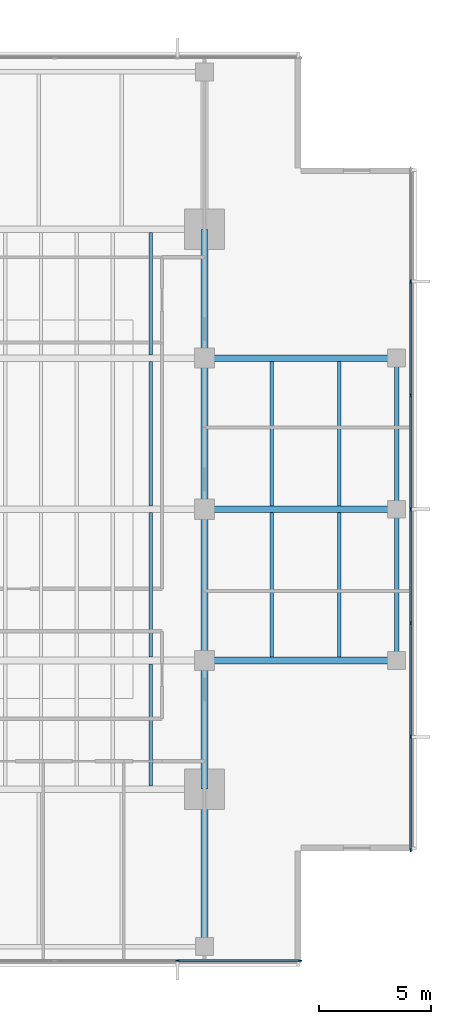
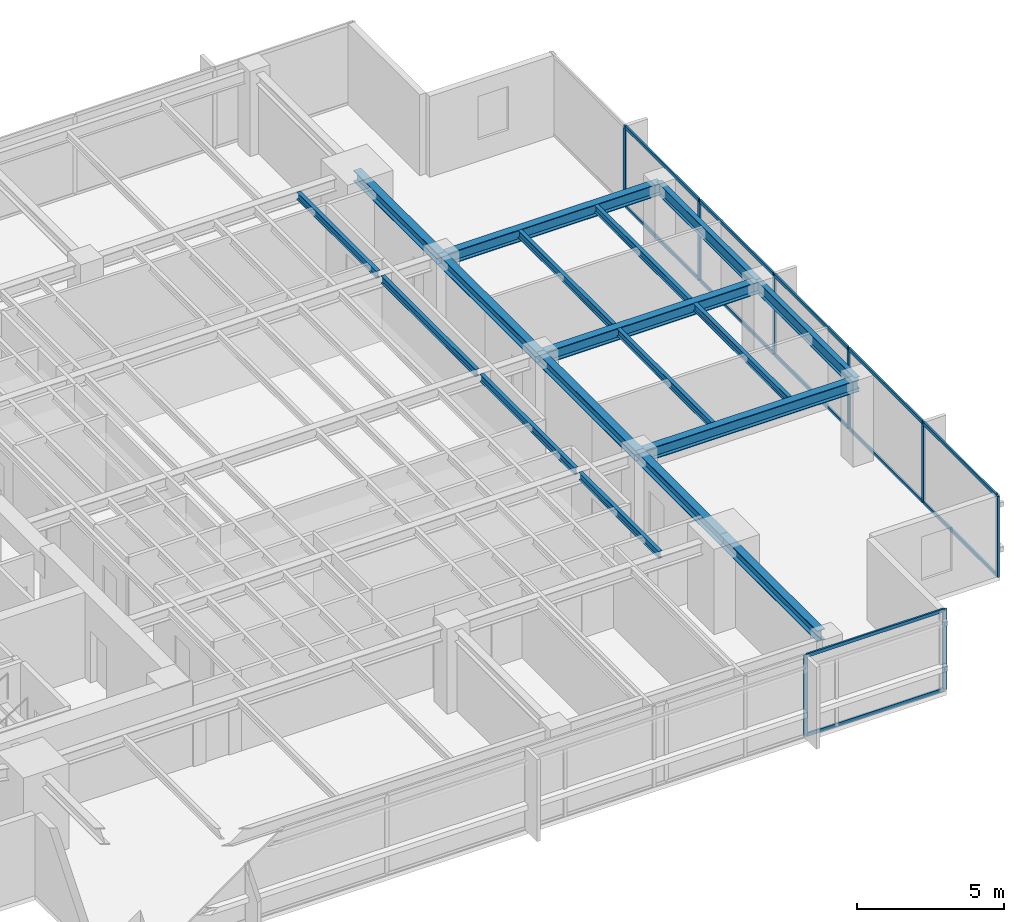
# One storey, part 4 of 14: 20 members, 18 beams, 2 elements without a shape of their own.
"""IFC4 building model written with IfcOpenShell, lengths in metres."""

from ifc_helpers import new_model, si_unit, direction, frame, origin, origin_2d, place, context, subcontext, project, spatial, rectangle, i_section, extrude, material, layer, layer_set, material_profile, profile_set, type_object, element, aggregate, save


model = new_model("IFC4")

# Units and contexts
model_context = context("Model", 3, precision=1e-05, world=origin(), true_north=direction((0.0, 1.0)))
body_context = subcontext(model_context, "Body", "Model", "MODEL_VIEW")
ifc_project = project(units=[si_unit("LENGTHUNIT", "METRE"), si_unit("AREAUNIT", "SQUARE_METRE"), si_unit("VOLUMEUNIT", "CUBIC_METRE"), si_unit("PLANEANGLEUNIT", "RADIAN"), si_unit("MASSUNIT", "GRAM", prefix="KILO")], contexts=[model_context])

# Site, building, storey
site_placement = place(None, origin())
site = spatial("IfcSite", under=ifc_project, at=site_placement, CompositionType="ELEMENT")
building_placement = place(site_placement, origin())
building = spatial("IfcBuilding", under=site, at=building_placement, Name="Kinhvarn Gate Tower", CompositionType="ELEMENT")
storey_placement = place(building_placement, frame((0.0, 0.0, 223.550048828125)))
storey = spatial("IfcBuildingStorey", under=building, at=storey_placement, Name="L59", CompositionType="ELEMENT", Elevation=223.550048828125)

# Curtain wall, members
ifc_material_1 = material(Name="Anodised aluminium AW-6063", Category="aluminium")
ifc_layer = layer(ifc_material_1, 0.179931640625)
ifc_layer_set = layer_set([ifc_layer], Name="Anodised aluminium AW-6063")
curtain_wall_type = type_object("IfcCurtainWallType", Name="CW-SYS-3", PredefinedType="NOTDEFINED", material=ifc_layer_set)
curtain_wall_1_placement = place(storey_placement, origin())
curtain_wall_1 = element("IfcCurtainWall", 1, at=curtain_wall_1_placement, inside=storey, type_object=curtain_wall_type, Name="Curtain Wall CW3 (L59)", PredefinedType="NOTDEFINED")
ifc_material_profile_1 = material_profile(ifc_material_1, rectangle(XDim=0.06494140625, YDim=0.159912109375, at=origin_2d()), Name="ALU 65x160")
ifc_profile_set_1 = profile_set([ifc_material_profile_1], Name="Anodised aluminium AW-6063")
member_type_1 = type_object("IfcMemberType", Name="CW-MUL-160", PredefinedType="MULLION", material=ifc_profile_set_1)
member_1_placement = place(storey_placement, frame((37.0, 5.090087890625, 0.0), z_axis=(0.0, 0.0, 1.0), x_axis=(0.0, 1.0, 0.0)))
member_1 = element("IfcMember", 2, at=member_1_placement, type_object=member_type_1, Name="CW3 mullion 6", PredefinedType="MULLION", context=body_context, shape_type="SweptSolid", body=[
    extrude(rectangle(XDim=0.06494140625, YDim=0.159912109375, at=origin_2d()), origin(), (0.0, 0.0, 1.0), 3.369873046875),
])
member_2_placement = place(storey_placement, frame((42.467529296875, 5.090087890625, 0.0), z_axis=(0.0, 0.0, 1.0), x_axis=(0.0, 1.0, 0.0)))
member_2 = element("IfcMember", 3, at=member_2_placement, type_object=member_type_1, Name="CW3 mullion 7", PredefinedType="MULLION", context=body_context, shape_type="SweptSolid", body=[
    extrude(rectangle(XDim=0.06494140625, YDim=0.159912109375, at=origin_2d()), origin(), (0.0, 0.0, 1.0), 3.369873046875),
])

curtain_wall_2_placement = place(storey_placement, origin())
curtain_wall_2 = element("IfcCurtainWall", 4, at=curtain_wall_2_placement, inside=storey, type_object=curtain_wall_type, Name="Curtain Wall CW3 (L59)", PredefinedType="NOTDEFINED")
member_3_placement = place(storey_placement, frame((47.409912109375, 10.032470703125, 0.0), z_axis=(0.0, 0.0, 1.0), x_axis=(-1.0, 0.0, 0.0)))
member_3 = element("IfcMember", 5, at=member_3_placement, type_object=member_type_1, Name="CW3 mullion 1", PredefinedType="MULLION", context=body_context, shape_type="SweptSolid", body=[
    extrude(rectangle(XDim=0.06494140625, YDim=0.159912109375, at=origin_2d()), origin(), (0.0, 0.0, 1.0), 3.369873046875),
])
member_4_placement = place(storey_placement, frame((47.409912109375, 15.083251953125, 0.0), z_axis=(0.0, 0.0, 1.0), x_axis=(-1.0, 0.0, 0.0)))
member_4 = element("IfcMember", 6, at=member_4_placement, type_object=member_type_1, Name="CW3 mullion 2", PredefinedType="MULLION", context=body_context, shape_type="SweptSolid", body=[
    extrude(rectangle(XDim=0.06494140625, YDim=0.159912109375, at=origin_2d()), origin(), (0.0, 0.0, 1.0), 3.369873046875),
])
member_5_placement = place(storey_placement, frame((47.409912109375, 20.166748046875, 0.0), z_axis=(0.0, 0.0, 1.0), x_axis=(-1.0, 0.0, 0.0)))
member_5 = element("IfcMember", 7, at=member_5_placement, type_object=member_type_1, Name="CW3 mullion 3", PredefinedType="MULLION", context=body_context, shape_type="SweptSolid", body=[
    extrude(rectangle(XDim=0.06494140625, YDim=0.159912109375, at=origin_2d()), origin(), (0.0, 0.0, 1.0), 3.369873046875),
])
member_6_placement = place(storey_placement, frame((47.409912109375, 25.25, 0.0), z_axis=(0.0, 0.0, 1.0), x_axis=(-1.0, 0.0, 0.0)))
member_6 = element("IfcMember", 8, at=member_6_placement, type_object=member_type_1, Name="CW3 mullion 4", PredefinedType="MULLION", context=body_context, shape_type="SweptSolid", body=[
    extrude(rectangle(XDim=0.06494140625, YDim=0.159912109375, at=origin_2d()), origin(), (0.0, 0.0, 1.0), 3.369873046875),
])
member_7_placement = place(storey_placement, frame((47.409912109375, 30.333251953125, 0.0), z_axis=(0.0, 0.0, 1.0), x_axis=(-1.0, 0.0, 0.0)))
member_7 = element("IfcMember", 9, at=member_7_placement, type_object=member_type_1, Name="CW3 mullion 5", PredefinedType="MULLION", context=body_context, shape_type="SweptSolid", body=[
    extrude(rectangle(XDim=0.06494140625, YDim=0.159912109375, at=origin_2d()), origin(), (0.0, 0.0, 1.0), 3.369873046875),
])
member_8_placement = place(storey_placement, frame((47.409912109375, 35.416748046875, 0.0), z_axis=(0.0, 0.0, 1.0), x_axis=(-1.0, 0.0, 0.0)))
member_8 = element("IfcMember", 10, at=member_8_placement, type_object=member_type_1, Name="CW3 mullion 6", PredefinedType="MULLION", context=body_context, shape_type="SweptSolid", body=[
    extrude(rectangle(XDim=0.06494140625, YDim=0.159912109375, at=origin_2d()), origin(), (0.0, 0.0, 1.0), 3.369873046875),
])

# Member
ifc_material_profile_2 = material_profile(ifc_material_1, rectangle(XDim=0.070068359375, YDim=0.139892578125, at=origin_2d()), Name="ALU 70x140")
ifc_profile_set_2 = profile_set([ifc_material_profile_2], Name="Anodised aluminium AW-6063")
member_type_2 = type_object("IfcMemberType", Name="CW-TRN-140", PredefinedType="USERDEFINED", material=ifc_profile_set_2)
member_9_placement = place(storey_placement, frame((37.032470703125, 5.090087890625, 0.034912109375), z_axis=(1.0, 0.0, 0.0), x_axis=(0.0, 1.0, 0.0)))
member_9 = element("IfcMember", 11, at=member_9_placement, type_object=member_type_2, Name="CW3 transom 6.1", ObjectType="TRANSOM", PredefinedType="USERDEFINED", context=body_context, shape_type="SweptSolid", body=[
    extrude(rectangle(XDim=0.070068359375, YDim=0.139892578125, at=origin_2d()), origin(), (0.0, 0.0, 1.0), 5.402587890625),
])

member_10_placement = place(storey_placement, frame((37.032470703125, 5.090087890625, 3.3349609375), z_axis=(1.0, 0.0, 0.0), x_axis=(0.0, 1.0, 0.0)))
member_10 = element("IfcMember", 12, at=member_10_placement, type_object=member_type_2, Name="CW3 transom 6.2", ObjectType="TRANSOM", PredefinedType="USERDEFINED", context=body_context, shape_type="SweptSolid", body=[
    extrude(rectangle(XDim=0.070068359375, YDim=0.139892578125, at=origin_2d()), origin(), (0.0, 0.0, 1.0), 5.402587890625),
])

aggregate(curtain_wall_1, [member_1, member_2, member_9, member_10])

member_11_placement = place(storey_placement, frame((47.409912109375, 10.06494140625, 0.034912109375), z_axis=(0.0, 1.0, 0.0), x_axis=(-1.0, 0.0, 0.0)))
member_11 = element("IfcMember", 13, at=member_11_placement, type_object=member_type_2, Name="CW3 transom 1.1", ObjectType="TRANSOM", PredefinedType="USERDEFINED", context=body_context, shape_type="SweptSolid", body=[
    extrude(rectangle(XDim=0.070068359375, YDim=0.139892578125, at=origin_2d()), origin(), (0.0, 0.0, 1.0), 4.98583984375),
])

member_12_placement = place(storey_placement, frame((47.409912109375, 10.06494140625, 3.3349609375), z_axis=(0.0, 1.0, 0.0), x_axis=(-1.0, 0.0, 0.0)))
member_12 = element("IfcMember", 14, at=member_12_placement, type_object=member_type_2, Name="CW3 transom 1.2", ObjectType="TRANSOM", PredefinedType="USERDEFINED", context=body_context, shape_type="SweptSolid", body=[
    extrude(rectangle(XDim=0.070068359375, YDim=0.139892578125, at=origin_2d()), origin(), (0.0, 0.0, 1.0), 4.98583984375),
])

member_13_placement = place(storey_placement, frame((47.409912109375, 15.11572265625, 0.034912109375), z_axis=(0.0, 1.0, 0.0), x_axis=(-1.0, 0.0, 0.0)))
member_13 = element("IfcMember", 15, at=member_13_placement, type_object=member_type_2, Name="CW3 transom 2.1", ObjectType="TRANSOM", PredefinedType="USERDEFINED", context=body_context, shape_type="SweptSolid", body=[
    extrude(rectangle(XDim=0.070068359375, YDim=0.139892578125, at=origin_2d()), origin(), (0.0, 0.0, 1.0), 5.0185546875),
])

member_14_placement = place(storey_placement, frame((47.409912109375, 15.11572265625, 3.3349609375), z_axis=(0.0, 1.0, 0.0), x_axis=(-1.0, 0.0, 0.0)))
member_14 = element("IfcMember", 16, at=member_14_placement, type_object=member_type_2, Name="CW3 transom 2.2", ObjectType="TRANSOM", PredefinedType="USERDEFINED", context=body_context, shape_type="SweptSolid", body=[
    extrude(rectangle(XDim=0.070068359375, YDim=0.139892578125, at=origin_2d()), origin(), (0.0, 0.0, 1.0), 5.0185546875),
])

member_15_placement = place(storey_placement, frame((47.409912109375, 20.19921875, 0.034912109375), z_axis=(0.0, 1.0, 0.0), x_axis=(-1.0, 0.0, 0.0)))
member_15 = element("IfcMember", 17, at=member_15_placement, type_object=member_type_2, Name="CW3 transom 3.1", ObjectType="TRANSOM", PredefinedType="USERDEFINED", context=body_context, shape_type="SweptSolid", body=[
    extrude(rectangle(XDim=0.070068359375, YDim=0.139892578125, at=origin_2d()), origin(), (0.0, 0.0, 1.0), 5.018310546875),
])

member_16_placement = place(storey_placement, frame((47.409912109375, 20.19921875, 3.3349609375), z_axis=(0.0, 1.0, 0.0), x_axis=(-1.0, 0.0, 0.0)))
member_16 = element("IfcMember", 18, at=member_16_placement, type_object=member_type_2, Name="CW3 transom 3.2", ObjectType="TRANSOM", PredefinedType="USERDEFINED", context=body_context, shape_type="SweptSolid", body=[
    extrude(rectangle(XDim=0.070068359375, YDim=0.139892578125, at=origin_2d()), origin(), (0.0, 0.0, 1.0), 5.018310546875),
])

member_17_placement = place(storey_placement, frame((47.409912109375, 25.282470703125, 0.034912109375), z_axis=(0.0, 1.0, 0.0), x_axis=(-1.0, 0.0, 0.0)))
member_17 = element("IfcMember", 19, at=member_17_placement, type_object=member_type_2, Name="CW3 transom 4.1", ObjectType="TRANSOM", PredefinedType="USERDEFINED", context=body_context, shape_type="SweptSolid", body=[
    extrude(rectangle(XDim=0.070068359375, YDim=0.139892578125, at=origin_2d()), origin(), (0.0, 0.0, 1.0), 5.018310546875),
])

member_18_placement = place(storey_placement, frame((47.409912109375, 25.282470703125, 3.3349609375), z_axis=(0.0, 1.0, 0.0), x_axis=(-1.0, 0.0, 0.0)))
member_18 = element("IfcMember", 20, at=member_18_placement, type_object=member_type_2, Name="CW3 transom 4.2", ObjectType="TRANSOM", PredefinedType="USERDEFINED", context=body_context, shape_type="SweptSolid", body=[
    extrude(rectangle(XDim=0.070068359375, YDim=0.139892578125, at=origin_2d()), origin(), (0.0, 0.0, 1.0), 5.018310546875),
])

member_19_placement = place(storey_placement, frame((47.409912109375, 30.36572265625, 0.034912109375), z_axis=(0.0, 1.0, 0.0), x_axis=(-1.0, 0.0, 0.0)))
member_19 = element("IfcMember", 21, at=member_19_placement, type_object=member_type_2, Name="CW3 transom 5.1", ObjectType="TRANSOM", PredefinedType="USERDEFINED", context=body_context, shape_type="SweptSolid", body=[
    extrude(rectangle(XDim=0.070068359375, YDim=0.139892578125, at=origin_2d()), origin(), (0.0, 0.0, 1.0), 5.0185546875),
])

member_20_placement = place(storey_placement, frame((47.409912109375, 30.36572265625, 3.3349609375), z_axis=(0.0, 1.0, 0.0), x_axis=(-1.0, 0.0, 0.0)))
member_20 = element("IfcMember", 22, at=member_20_placement, type_object=member_type_2, Name="CW3 transom 5.2", ObjectType="TRANSOM", PredefinedType="USERDEFINED", context=body_context, shape_type="SweptSolid", body=[
    extrude(rectangle(XDim=0.070068359375, YDim=0.139892578125, at=origin_2d()), origin(), (0.0, 0.0, 1.0), 5.0185546875),
])

aggregate(curtain_wall_2, [member_3, member_4, member_5, member_6, member_7, member_8, member_11, member_12, member_13, member_14, member_15, member_16, member_17, member_18, member_19, member_20])

# Beams
ifc_material_2 = material(Name="Steel S355", Category="steel")
ifc_material_profile_3 = material_profile(ifc_material_2, i_section(OverallWidth=0.300048828125, OverallDepth=0.449951171875, WebThickness=0.013916015625, FlangeThickness=0.02587890625, at=origin_2d()), Name="HEB 450")
ifc_profile_set_3 = profile_set([ifc_material_profile_3], Name="Steel S355")
beam_type_1 = type_object("IfcBeamType", Name="STL-HEB450", PredefinedType="BEAM", material=ifc_profile_set_3)
beam_1_placement = place(storey_placement, frame((38.199951171875, 6.10498046875, 3.14501953125), z_axis=(0.0, 1.0, 0.0), x_axis=(-1.0, 0.0, 0.0)))
element("IfcBeam", 23, at=beam_1_placement, inside=storey, type_object=beam_type_1, Name="Floor Beam PG-13 (L59 MCE-S)", PredefinedType="BEAM", context=body_context, shape_type="SweptSolid", body=[
    extrude(i_section(OverallWidth=0.300048828125, OverallDepth=0.449951171875, WebThickness=0.013916015625, FlangeThickness=0.02587890625, at=origin_2d()), origin(), (0.0, 0.0, 1.0), 6.64501953125),
])
beam_2_placement = place(storey_placement, frame((38.199951171875, 12.75, 3.14501953125), z_axis=(0.0, 1.0, 0.0), x_axis=(-1.0, 0.0, 0.0)))
element("IfcBeam", 24, at=beam_2_placement, inside=storey, type_object=beam_type_1, Name="Floor Beam PG-13 (L59 MG-E-12)", PredefinedType="BEAM", context=body_context, shape_type="SweptSolid", body=[
    extrude(i_section(OverallWidth=0.300048828125, OverallDepth=0.449951171875, WebThickness=0.013916015625, FlangeThickness=0.02587890625, at=origin_2d()), origin(), (0.0, 0.0, 1.0), 5.75),
])
for number, where, z_axis, x_axis, name in (
    (25, (38.199951171875, 18.5, 3.14501953125), (0.0, 1.0, 0.0), (-1.0, 0.0, 0.0), "Floor Beam PG-13 (L59 MG-E-18)"),
    (26, (38.199951171875, 25.25, 3.14501953125), (0.0, 1.0, 0.0), (-1.0, 0.0, 0.0), "Floor Beam PG-13 (L59 MG-E-25)"),
):
    element("IfcBeam", number, at=place(storey_placement, frame(where, z_axis=z_axis, x_axis=x_axis)), inside=storey, type_object=beam_type_1, Name=name, PredefinedType="BEAM", context=body_context, shape_type="SweptSolid", body=[
        extrude(i_section(OverallWidth=0.300048828125, OverallDepth=0.449951171875, WebThickness=0.013916015625, FlangeThickness=0.02587890625, at=origin_2d()), origin(), (0.0, 0.0, 1.0), 6.75),
    ])
beam_3_placement = place(storey_placement, frame((38.199951171875, 32.0, 3.14501953125), z_axis=(0.0, 1.0, 0.0), x_axis=(-1.0, 0.0, 0.0)))
element("IfcBeam", 27, at=beam_3_placement, inside=storey, type_object=beam_type_1, Name="Floor Beam PG-13 (L59 MG-E-32)", PredefinedType="BEAM", context=body_context, shape_type="SweptSolid", body=[
    extrude(i_section(OverallWidth=0.300048828125, OverallDepth=0.449951171875, WebThickness=0.013916015625, FlangeThickness=0.02587890625, at=origin_2d()), origin(), (0.0, 0.0, 1.0), 5.75),
])
ifc_material_profile_4 = material_profile(ifc_material_2, i_section(OverallWidth=0.300048828125, OverallDepth=0.5, WebThickness=0.014404296875, FlangeThickness=0.028076171875, at=origin_2d()), Name="HEB 500")
ifc_profile_set_4 = profile_set([ifc_material_profile_4], Name="Steel S355")
beam_type_2 = type_object("IfcBeamType", Name="STL-HEB500", PredefinedType="BEAM", material=ifc_profile_set_4)
for number, where, z_axis, x_axis, name in (
    (28, (38.199951171875, 18.5, 3.119873046875), (1.0, 0.0, 0.0), (0.0, 1.0, 0.0), "Floor Beam PG-14 (L59 EW2-Y18)"),
    (29, (38.199951171875, 25.25, 3.119873046875), (1.0, 0.0, 0.0), (0.0, 1.0, 0.0), "Floor Beam PG-14 (L59 EW2-Y25)"),
    (30, (38.199951171875, 32.0, 3.119873046875), (1.0, 0.0, 0.0), (0.0, 1.0, 0.0), "Floor Beam PG-14 (L59 EW2-Y32)"),
):
    element("IfcBeam", number, at=place(storey_placement, frame(where, z_axis=z_axis, x_axis=x_axis)), inside=storey, type_object=beam_type_2, Name=name, PredefinedType="BEAM", context=body_context, shape_type="SweptSolid", body=[
        extrude(i_section(OverallWidth=0.300048828125, OverallDepth=0.5, WebThickness=0.014404296875, FlangeThickness=0.028076171875, at=origin_2d()), origin(), (0.0, 0.0, 1.0), 8.580078125),
    ])
ifc_material_profile_5 = material_profile(ifc_material_2, i_section(OverallWidth=0.14990234375, OverallDepth=0.300048828125, WebThickness=0.007080078125, FlangeThickness=0.0107421875, at=origin_2d()), Name="IPE 300")
ifc_profile_set_5 = profile_set([ifc_material_profile_5], Name="Steel S355")
beam_type_3 = type_object("IfcBeamType", Name="STL-IPE300", PredefinedType="JOIST", material=ifc_profile_set_5)
beam_4_placement = place(storey_placement, frame((35.800048828125, 12.89990234375, 3.219970703125), z_axis=(0.0, 1.0, 0.0), x_axis=(-1.0, 0.0, 0.0)))
element("IfcBeam", 31, at=beam_4_placement, inside=storey, type_object=beam_type_3, Name="Floor Joist SB-02 (L59 JC-X358-0)", PredefinedType="JOIST", context=body_context, shape_type="SweptSolid", body=[
    extrude(i_section(OverallWidth=0.14990234375, OverallDepth=0.300048828125, WebThickness=0.007080078125, FlangeThickness=0.0107421875, at=origin_2d()), origin(), (0.0, 0.0, 1.0), 5.4501953125),
])
for number, where, z_axis, x_axis, name in (
    (32, (35.800048828125, 18.64990234375, 3.219970703125), (0.0, 1.0, 0.0), (-1.0, 0.0, 0.0), "Floor Joist SB-02 (L59 JC-X358-1)"),
    (33, (35.800048828125, 25.39990234375, 3.219970703125), (0.0, 1.0, 0.0), (-1.0, 0.0, 0.0), "Floor Joist SB-02 (L59 JC-X358-2)"),
):
    element("IfcBeam", number, at=place(storey_placement, frame(where, z_axis=z_axis, x_axis=x_axis)), inside=storey, type_object=beam_type_3, Name=name, PredefinedType="JOIST", context=body_context, shape_type="SweptSolid", body=[
        extrude(i_section(OverallWidth=0.14990234375, OverallDepth=0.300048828125, WebThickness=0.007080078125, FlangeThickness=0.0107421875, at=origin_2d()), origin(), (0.0, 0.0, 1.0), 6.4501953125),
    ])
beam_5_placement = place(storey_placement, frame((35.800048828125, 32.14990234375, 3.219970703125), z_axis=(0.0, 1.0, 0.0), x_axis=(-1.0, 0.0, 0.0)))
element("IfcBeam", 34, at=beam_5_placement, inside=storey, type_object=beam_type_3, Name="Floor Joist SB-02 (L59 JC-X358-3)", PredefinedType="JOIST", context=body_context, shape_type="SweptSolid", body=[
    extrude(i_section(OverallWidth=0.14990234375, OverallDepth=0.300048828125, WebThickness=0.007080078125, FlangeThickness=0.0107421875, at=origin_2d()), origin(), (0.0, 0.0, 1.0), 5.4501953125),
])
for number, where, z_axis, x_axis, name in (
    (35, (41.199951171875, 18.64990234375, 3.219970703125), (0.0, 1.0, 0.0), (-1.0, 0.0, 0.0), "Floor Joist SB-02 (L59 JC-X412-1)"),
    (36, (41.199951171875, 25.39990234375, 3.219970703125), (0.0, 1.0, 0.0), (-1.0, 0.0, 0.0), "Floor Joist SB-02 (L59 JC-X412-2)"),
    (37, (44.2099609375, 18.64990234375, 3.219970703125), (0.0, 1.0, 0.0), (-1.0, 0.0, 0.0), "Floor Joist SB-02 (L59 JC-X442-1)"),
    (38, (44.2099609375, 25.39990234375, 3.219970703125), (0.0, 1.0, 0.0), (-1.0, 0.0, 0.0), "Floor Joist SB-02 (L59 JC-X442-2)"),
):
    element("IfcBeam", number, at=place(storey_placement, frame(where, z_axis=z_axis, x_axis=x_axis)), inside=storey, type_object=beam_type_3, Name=name, PredefinedType="JOIST", context=body_context, shape_type="SweptSolid", body=[
        extrude(i_section(OverallWidth=0.14990234375, OverallDepth=0.300048828125, WebThickness=0.007080078125, FlangeThickness=0.0107421875, at=origin_2d()), origin(), (0.0, 0.0, 1.0), 6.4501953125),
    ])
ifc_material_profile_6 = material_profile(ifc_material_2, i_section(OverallWidth=0.199951171875, OverallDepth=0.5, WebThickness=0.01025390625, FlangeThickness=0.01611328125, at=origin_2d()), Name="IPE 500")
ifc_profile_set_6 = profile_set([ifc_material_profile_6], Name="Steel S355")
beam_type_4 = type_object("IfcBeamType", Name="STL-IPE500", PredefinedType="SPANDREL", material=ifc_profile_set_6)
for number, where, z_axis, x_axis, name in (
    (39, (46.780029296875, 18.5, 3.119873046875), (0.0, 1.0, 0.0), (-1.0, 0.0, 0.0), "Floor Spandrel SB-07 (L59 SP-E2)"),
    (40, (46.780029296875, 25.25, 3.119873046875), (0.0, 1.0, 0.0), (-1.0, 0.0, 0.0), "Floor Spandrel SB-07 (L59 SP-E3)"),
):
    element("IfcBeam", number, at=place(storey_placement, frame(where, z_axis=z_axis, x_axis=x_axis)), inside=storey, type_object=beam_type_4, Name=name, PredefinedType="SPANDREL", context=body_context, shape_type="SweptSolid", body=[
        extrude(i_section(OverallWidth=0.199951171875, OverallDepth=0.5, WebThickness=0.01025390625, FlangeThickness=0.01611328125, at=origin_2d()), origin(), (0.0, 0.0, 1.0), 6.75),
    ])

save(model, "model.ifc")
